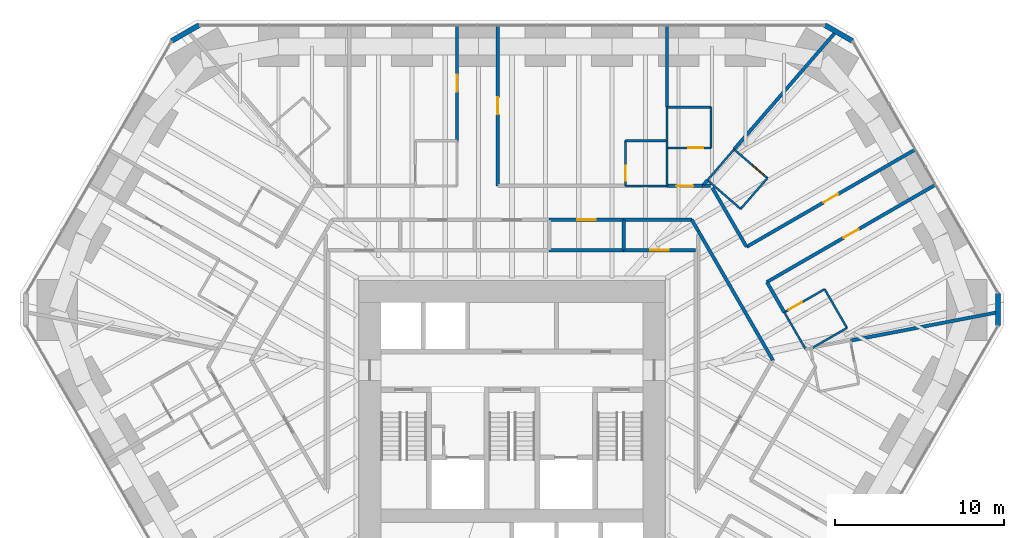
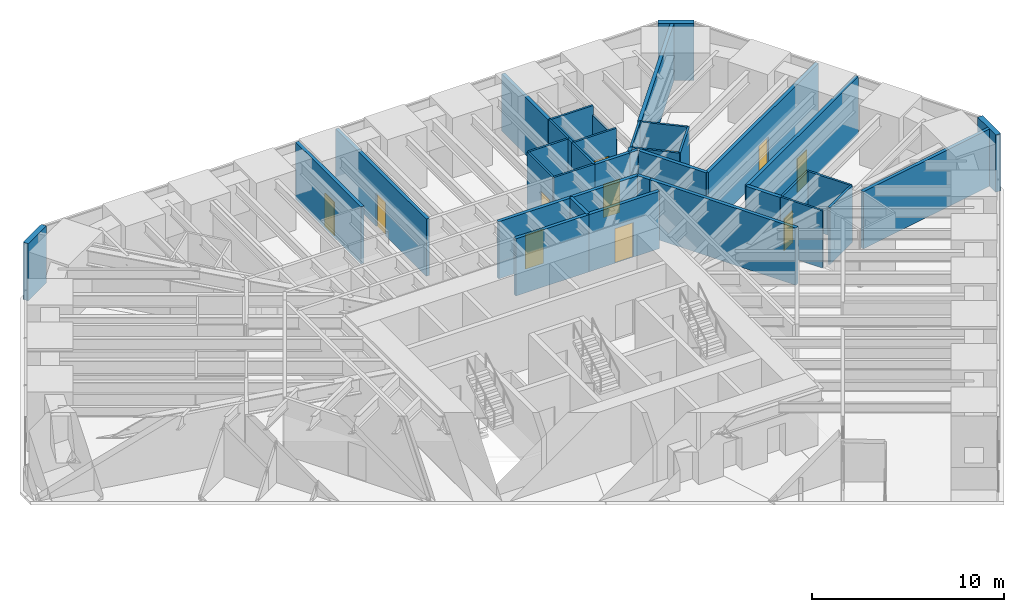
# One storey, part 15 of 17: 39 walls, 11 doors, 11 openings.
"""IFC4 building model written with IfcOpenShell, lengths in metres."""

from ifc_helpers import new_model, si_unit, direction, frame, frame_2d, origin, place, context, subcontext, project, spatial, rectangle, extrude, material, layer, layer_set, type_object, element, fill, save


model = new_model("IFC4")

# Units and contexts
model_context = context("Model", 3, precision=1e-05, world=origin(), true_north=direction((0.0, 1.0)))
body_context = subcontext(model_context, "Body", "Model", "MODEL_VIEW")
ifc_project = project(units=[si_unit("LENGTHUNIT", "METRE"), si_unit("AREAUNIT", "SQUARE_METRE"), si_unit("VOLUMEUNIT", "CUBIC_METRE"), si_unit("PLANEANGLEUNIT", "RADIAN"), si_unit("MASSUNIT", "GRAM", prefix="KILO")], contexts=[model_context])

# Site, building, storey
site_placement = place(None, origin())
site = spatial("IfcSite", under=ifc_project, at=site_placement, CompositionType="ELEMENT")
building_placement = place(site_placement, origin())
building = spatial("IfcBuilding", under=site, at=building_placement, Name="Sandreach Pilgrim Tower", CompositionType="ELEMENT")
storey_placement = place(building_placement, frame((0.0, 0.0, 100.60009765625)))
storey = spatial("IfcBuildingStorey", under=building, at=storey_placement, Name="L24", CompositionType="ELEMENT", Elevation=100.60009765625)

# Wall, opening, door
ifc_material_1 = material(Name="Moisture-resistant gypsum board on steel studs", Category="steel")
ifc_layer_1 = layer(ifc_material_1, 0.1201171875)
ifc_layer_set_1 = layer_set([ifc_layer_1], Name="Bathroom partition 120")
wall_type_1 = type_object("IfcWallType", Name="Bathroom partition 120", PredefinedType="PARTITIONING", material=ifc_layer_set_1)
wall_1_placement = place(storey_placement, frame((6.7099609375, 15.659912109375, 0.0), z_axis=(0.0, 0.0, 1.0), x_axis=(0.0, -1.0, 0.0)))
wall_1 = element("IfcWall", 1, at=wall_1_placement, inside=storey, type_object=wall_type_1, Name="Bathroom partition L24-103", PredefinedType="PARTITIONING", context=body_context, shape_type="SweptSolid", body=[
    extrude(rectangle(XDim=2.669921875, YDim=0.1201171875, at=frame_2d((1.3349609375, 0.0))), origin(), (0.0, 0.0, 1.0), 3.639892578125),
])
opening_1_placement = place(wall_1_placement, frame((1.469970703125, 0.0, 0.0)))
opening_1 = element("IfcOpeningElement", 2, at=opening_1_placement, cuts=wall_1, Name="Opening D09-03B", PredefinedType="OPENING", context=body_context, shape_type="SweptSolid", body=[
    extrude(rectangle(XDim=0.89990234375, YDim=2.030029296875, at=frame_2d((0.449951171875, 1.01513671875))), frame((0.0, 0.06005859375, 0.0), z_axis=(0.0, -1.0, 0.0), x_axis=(1.0, 0.0, 0.0)), (0.0, 0.0, 1.0), 0.1201171875),
])
ifc_material_2 = material(Name="Timber door, steel frame", Category="steel")
door_type_1 = type_object("IfcDoorType", Name="Bathroom door", OperationType="SINGLE_SWING_LEFT", PredefinedType="DOOR", material=ifc_material_2)
door_1_placement = place(opening_1_placement, origin())
door_1 = element("IfcDoor", 3, at=door_1_placement, inside=storey, type_object=door_type_1, Name="Door 2403B", OperationType="SINGLE_SWING_RIGHT", OverallHeight=2.030029296875, OverallWidth=0.89990234375, PredefinedType="DOOR", context=body_context, shape_type="SweptSolid", body=[
    extrude(rectangle(XDim=0.89990234375, YDim=2.030029296875, at=frame_2d((0.449951171875, 1.01513671875))), frame((0.0, 0.02490234375, 0.0), z_axis=(0.0, -1.0, 0.0), x_axis=(1.0, 0.0, 0.0)), (0.0, 0.0, 1.0), 0.050048828125),
])
fill(opening_1, door_1)

# Walls
wall_2_placement = place(storey_placement, frame((9.159912109375, 12.989990234375, 0.0), z_axis=(0.0, 0.0, 1.0), x_axis=(-1.0, 0.0, 0.0)))
element("IfcWall", 4, at=wall_2_placement, inside=storey, type_object=wall_type_1, Name="Bathroom partition L24-115", PredefinedType="PARTITIONING", context=body_context, shape_type="SweptSolid", body=[
    extrude(rectangle(XDim=2.449951171875, YDim=0.1201171875, at=frame_2d((1.22509765625, 0.0))), origin(), (0.0, 0.0, 1.0), 3.639892578125),
])
wall_3_placement = place(storey_placement, frame((9.159912109375, 15.239990234375, 0.0), z_axis=(0.0, 0.0, 1.0), x_axis=(0.0, -1.0, 0.0)))
element("IfcWall", 5, at=wall_3_placement, inside=storey, type_object=wall_type_1, Name="Bathroom partition L24-116", PredefinedType="PARTITIONING", context=body_context, shape_type="SweptSolid", body=[
    extrude(rectangle(XDim=2.25, YDim=0.1201171875, at=frame_2d((1.125, 0.0))), origin(), (0.0, 0.0, 1.0), 3.639892578125),
])

# Wall, opening, door
wall_4_placement = place(storey_placement, frame((9.159912109375, 15.239990234375, 0.0), z_axis=(0.0, 0.0, 1.0), x_axis=(1.0, 0.0, 0.0)))
wall_4 = element("IfcWall", 6, at=wall_4_placement, inside=storey, type_object=wall_type_1, Name="Bathroom partition L24-117", PredefinedType="PARTITIONING", context=body_context, shape_type="SweptSolid", body=[
    extrude(rectangle(XDim=2.60009765625, YDim=0.1201171875, at=frame_2d((1.300048828125, 0.0))), origin(), (0.0, 0.0, 1.0), 3.639892578125),
])
opening_2_placement = place(wall_4_placement, frame((1.25, 0.0, 0.0)))
opening_2 = element("IfcOpeningElement", 7, at=opening_2_placement, cuts=wall_4, Name="Opening D09-04B", PredefinedType="OPENING", context=body_context, shape_type="SweptSolid", body=[
    extrude(rectangle(XDim=0.89990234375, YDim=2.030029296875, at=frame_2d((0.449951171875, 1.01513671875))), frame((0.0, 0.06005859375, 0.0), z_axis=(0.0, -1.0, 0.0), x_axis=(1.0, 0.0, 0.0)), (0.0, 0.0, 1.0), 0.1201171875),
])
door_2_placement = place(opening_2_placement, origin())
door_2 = element("IfcDoor", 8, at=door_2_placement, inside=storey, type_object=door_type_1, Name="Door 2404B", OperationType="SINGLE_SWING_RIGHT", OverallHeight=2.030029296875, OverallWidth=0.89990234375, PredefinedType="DOOR", context=body_context, shape_type="SweptSolid", body=[
    extrude(rectangle(XDim=0.89990234375, YDim=2.030029296875, at=frame_2d((0.449951171875, 1.01513671875))), frame((0.0, 0.02490234375, 0.0), z_axis=(0.0, -1.0, 0.0), x_axis=(1.0, 0.0, 0.0)), (0.0, 0.0, 1.0), 0.050048828125),
])
fill(opening_2, door_2)

# Walls
wall_5_placement = place(storey_placement, frame((9.159912109375, 15.659912109375, 0.0), z_axis=(0.0, 0.0, 1.0), x_axis=(-1.0, 0.0, 0.0)))
element("IfcWall", 9, at=wall_5_placement, inside=storey, type_object=wall_type_1, Name="Bathroom partition L24-118", PredefinedType="PARTITIONING", context=body_context, shape_type="SweptSolid", body=[
    extrude(rectangle(XDim=2.449951171875, YDim=0.1201171875, at=frame_2d((1.22509765625, 0.0))), origin(), (0.0, 0.0, 1.0), 3.639892578125),
])
wall_6_placement = place(storey_placement, frame((9.159912109375, 15.659912109375, 0.0), z_axis=(0.0, 0.0, 1.0), x_axis=(0.0, -1.0, 0.0)))
element("IfcWall", 10, at=wall_6_placement, inside=storey, type_object=wall_type_1, Name="Bathroom partition L24-119", PredefinedType="PARTITIONING", context=body_context, shape_type="SweptSolid", body=[
    extrude(rectangle(XDim=0.419921875, YDim=0.1201171875, at=frame_2d((0.2099609375, 0.0))), origin(), (0.0, 0.0, 1.0), 3.639892578125),
])
wall_7_placement = place(storey_placement, frame((9.159912109375, 17.639892578125, 0.0), z_axis=(0.0, 0.0, 1.0), x_axis=(0.0, -1.0, 0.0)))
element("IfcWall", 11, at=wall_7_placement, inside=storey, type_object=wall_type_1, Name="Bathroom partition L24-120", PredefinedType="PARTITIONING", context=body_context, shape_type="SweptSolid", body=[
    extrude(rectangle(XDim=1.97998046875, YDim=0.1201171875, at=frame_2d((0.989990234375, 0.0))), origin(), (0.0, 0.0, 1.0), 3.639892578125),
])
wall_8_placement = place(storey_placement, frame((11.550048828125, 13.330078125, 0.0), z_axis=(0.0, 0.0, 1.0), x_axis=(0.653238965593, 0.75715180369, 0.0)))
element("IfcWall", 12, at=wall_8_placement, inside=storey, type_object=wall_type_1, Name="Bathroom partition L24-134", PredefinedType="PARTITIONING", context=body_context, shape_type="SweptSolid", body=[
    extrude(rectangle(XDim=2.403564453125, YDim=0.1201171875, at=frame_2d((1.20166015625, 0.0))), origin(), (0.0, 0.0, 1.0), 3.639892578125),
])
wall_9_placement = place(storey_placement, frame((11.550048828125, 13.330078125, 0.0), z_axis=(0.0, 0.0, 1.0), x_axis=(0.755437535555, -0.655220672655, 0.0)))
element("IfcWall", 13, at=wall_9_placement, inside=storey, type_object=wall_type_1, Name="Bathroom partition L24-135", PredefinedType="PARTITIONING", context=body_context, shape_type="SweptSolid", body=[
    extrude(rectangle(XDim=2.594482421875, YDim=0.1201171875, at=frame_2d((1.29736328125, 0.0))), origin(), (0.0, 0.0, 1.0), 3.639892578125),
])
wall_10_placement = place(storey_placement, frame((11.760009765625, 15.239990234375, 0.0), z_axis=(0.0, 0.0, 1.0), x_axis=(0.0, 1.0, 0.0)))
element("IfcWall", 14, at=wall_10_placement, inside=storey, type_object=wall_type_1, Name="Bathroom partition L24-137", PredefinedType="PARTITIONING", context=body_context, shape_type="SweptSolid", body=[
    extrude(rectangle(XDim=2.39990234375, YDim=0.1201171875, at=frame_2d((1.199951171875, 0.0))), origin(), (0.0, 0.0, 1.0), 3.037841796875),
])
wall_11_placement = place(storey_placement, frame((11.760009765625, 17.639892578125, 0.0), z_axis=(0.0, 0.0, 1.0), x_axis=(-1.0, 0.0, 0.0)))
element("IfcWall", 15, at=wall_11_placement, inside=storey, type_object=wall_type_1, Name="Bathroom partition L24-138", PredefinedType="PARTITIONING", context=body_context, shape_type="SweptSolid", body=[
    extrude(rectangle(XDim=2.60009765625, YDim=0.1201171875, at=frame_2d((1.300048828125, 0.0))), origin(), (0.0, 0.0, 1.0), 3.639892578125),
])
wall_12_placement = place(storey_placement, frame((13.510009765625, 11.6298828125, 0.0), z_axis=(0.0, 0.0, 1.0), x_axis=(0.655566599468, 0.75513736079, 0.0)))
element("IfcWall", 16, at=wall_12_placement, inside=storey, type_object=wall_type_1, Name="Bathroom partition L24-141", PredefinedType="PARTITIONING", context=body_context, shape_type="SweptSolid", body=[
    extrude(rectangle(XDim=2.41015625, YDim=0.1201171875, at=frame_2d((1.205078125, 0.0))), origin(), (0.0, 0.0, 1.0), 3.639892578125),
])

# Wall, opening, door
wall_13_placement = place(storey_placement, frame((15.090087890625, 13.449951171875, 0.0), z_axis=(0.0, 0.0, 1.0), x_axis=(-0.757086659925, 0.653314464377, 0.0)))
wall_13 = element("IfcWall", 17, at=wall_13_placement, inside=storey, type_object=wall_type_1, Name="Bathroom partition L24-146", PredefinedType="PARTITIONING", context=body_context, shape_type="SweptSolid", body=[
    extrude(rectangle(XDim=2.60205078125, YDim=0.1201171875, at=frame_2d((1.301025390625, 0.0))), origin(), (0.0, 0.0, 1.0), 3.639892578125),
])
opening_3_placement = place(wall_13_placement, frame((0.300048828125, 0.0, 0.0)))
opening_3 = element("IfcOpeningElement", 18, at=opening_3_placement, cuts=wall_13, Name="Opening D09-05B", PredefinedType="OPENING", context=body_context, shape_type="SweptSolid", body=[
    extrude(rectangle(XDim=0.89990234375, YDim=2.030029296875, at=frame_2d((0.449951171875, 1.01513671875))), frame((0.0, 0.06005859375, 0.0), z_axis=(0.0, -1.0, 0.0), x_axis=(1.0, 0.0, 0.0)), (0.0, 0.0, 1.0), 0.1201171875),
])
door_3_placement = place(opening_3_placement, origin())
door_3 = element("IfcDoor", 19, at=door_3_placement, inside=storey, type_object=door_type_1, Name="Door 2405B", OperationType="SINGLE_SWING_LEFT", OverallHeight=2.030029296875, OverallWidth=0.89990234375, PredefinedType="DOOR", context=body_context, shape_type="SweptSolid", body=[
    extrude(rectangle(XDim=0.89990234375, YDim=2.030029296875, at=frame_2d((0.449951171875, 1.01513671875))), frame((0.0, 0.02490234375, 0.0), z_axis=(0.0, -1.0, 0.0), x_axis=(1.0, 0.0, 0.0)), (0.0, 0.0, 1.0), 0.050048828125),
])
fill(opening_3, door_3)

# Walls
wall_14_placement = place(storey_placement, frame((16.090087890625, 5.52001953125, 0.0), z_axis=(0.0, 0.0, 1.0), x_axis=(0.500424596343, -0.865780124151, 0.0)))
element("IfcWall", 20, at=wall_14_placement, inside=storey, type_object=wall_type_1, Name="Bathroom partition L24-148", PredefinedType="PARTITIONING", context=body_context, shape_type="SweptSolid", body=[
    extrude(rectangle(XDim=2.517822265625, YDim=0.1201171875, at=frame_2d((1.2587890625, 0.0))), origin(), (0.0, 0.0, 1.0), 3.639892578125),
])
wall_15_placement = place(storey_placement, frame((17.760009765625, 3.429931640625, 0.0), z_axis=(0.0, 0.0, 1.0), x_axis=(0.866371132283, 0.499400701988, 0.0)))
element("IfcWall", 21, at=wall_15_placement, inside=storey, type_object=wall_type_1, Name="Bathroom partition L24-152", PredefinedType="PARTITIONING", context=body_context, shape_type="SweptSolid", body=[
    extrude(rectangle(XDim=2.34326171875, YDim=0.1201171875, at=frame_2d((1.171630859375, 0.0))), origin(), (0.0, 0.0, 1.0), 3.639892578125),
])

# Wall, opening, door
wall_16_placement = place(storey_placement, frame((18.469970703125, 6.889892578125, 0.0), z_axis=(0.0, 0.0, 1.0), x_axis=(-0.866679536557, -0.498865293355, 0.0)))
wall_16 = element("IfcWall", 22, at=wall_16_placement, inside=storey, type_object=wall_type_1, Name="Bathroom partition L24-158", PredefinedType="PARTITIONING", context=body_context, shape_type="SweptSolid", body=[
    extrude(rectangle(XDim=2.74609375, YDim=0.1201171875, at=frame_2d((1.373046875, 0.0))), origin(), (0.0, 0.0, 1.0), 3.639892578125),
])
opening_4_placement = place(wall_16_placement, frame((1.546142578125, 0.0, 0.0)))
opening_4 = element("IfcOpeningElement", 23, at=opening_4_placement, cuts=wall_16, Name="Opening D09-06B", PredefinedType="OPENING", context=body_context, shape_type="SweptSolid", body=[
    extrude(rectangle(XDim=0.89990234375, YDim=2.030029296875, at=frame_2d((0.449951171875, 1.01513671875))), frame((0.0, 0.06005859375, 0.0), z_axis=(0.0, -1.0, 0.0), x_axis=(1.0, 0.0, 0.0)), (0.0, 0.0, 1.0), 0.1201171875),
])
door_4_placement = place(opening_4_placement, origin())
door_4 = element("IfcDoor", 24, at=door_4_placement, inside=storey, type_object=door_type_1, Name="Door 2406B", OperationType="SINGLE_SWING_RIGHT", OverallHeight=2.030029296875, OverallWidth=0.89990234375, PredefinedType="DOOR", context=body_context, shape_type="SweptSolid", body=[
    extrude(rectangle(XDim=0.89990234375, YDim=2.030029296875, at=frame_2d((0.449951171875, 1.01513671875))), frame((0.0, 0.02490234375, 0.0), z_axis=(0.0, -1.0, 0.0), x_axis=(1.0, 0.0, 0.0)), (0.0, 0.0, 1.0), 0.050048828125),
])
fill(opening_4, door_4)

# Wall
wall_17_placement = place(storey_placement, frame((19.7900390625, 4.60009765625, 0.0), z_axis=(0.0, 0.0, 1.0), x_axis=(-0.499447879564, 0.866343936089, 0.0)))
element("IfcWall", 25, at=wall_17_placement, inside=storey, type_object=wall_type_1, Name="Bathroom partition L24-159", PredefinedType="PARTITIONING", context=body_context, shape_type="SweptSolid", body=[
    extrude(rectangle(XDim=2.64306640625, YDim=0.1201171875, at=frame_2d((1.321533203125, 0.0))), origin(), (0.0, 0.0, 1.0), 3.639892578125),
])

# Wall, opening, door
ifc_material_3 = material(Name="Gypsum board on steel studs, two layers each side", Category="steel")
ifc_layer_2 = layer(ifc_material_3, 0.199951171875)
ifc_layer_set_2 = layer_set([ifc_layer_2], Name="Corridor wall 200")
wall_type_2 = type_object("IfcWallType", Name="Corridor wall 200", PredefinedType="PARTITIONING", material=ifc_layer_set_2)
wall_18_placement = place(storey_placement, frame((-3.25, 22.4599609375, 0.0), z_axis=(0.0, 0.0, 1.0), x_axis=(0.0, -1.0, 0.0)))
wall_18 = element("IfcWall", 26, at=wall_18_placement, inside=storey, type_object=wall_type_2, Name="Corridor wall L24-073", PredefinedType="PARTITIONING", context=body_context, shape_type="SweptSolid", body=[
    extrude(rectangle(XDim=6.800048828125, YDim=0.199951171875, at=frame_2d((3.39990234375, 0.0))), origin(), (0.0, 0.0, 1.0), 3.639892578125),
])
opening_5_placement = place(wall_18_placement, frame((2.89990234375, 0.0, 0.0)))
opening_5 = element("IfcOpeningElement", 27, at=opening_5_placement, cuts=wall_18, Name="Opening D10-02", PredefinedType="OPENING", context=body_context, shape_type="SweptSolid", body=[
    extrude(rectangle(XDim=1.0, YDim=2.1298828125, at=frame_2d((0.5, 1.06494140625))), frame((0.0, 0.10009765625, 0.0), z_axis=(0.0, -1.0, 0.0), x_axis=(1.0, 0.0, 0.0)), (0.0, 0.0, 1.0), 0.199951171875),
])
ifc_material_4 = material(Name="Steel door and frame", Category="steel")
door_type_2 = type_object("IfcDoorType", Name="Guest room entry door", OperationType="SINGLE_SWING_LEFT", PredefinedType="DOOR", material=ifc_material_4)
door_5_placement = place(opening_5_placement, origin())
door_5 = element("IfcDoor", 28, at=door_5_placement, inside=storey, type_object=door_type_2, Name="Door 2402", OperationType="SINGLE_SWING_LEFT", OverallHeight=2.1298828125, OverallWidth=1.0, PredefinedType="DOOR", context=body_context, shape_type="SweptSolid", body=[
    extrude(rectangle(XDim=1.0, YDim=2.1298828125, at=frame_2d((0.5, 1.06494140625))), frame((0.0, 0.02490234375, 0.0), z_axis=(0.0, -1.0, 0.0), x_axis=(1.0, 0.0, 0.0)), (0.0, 0.0, 1.0), 0.050048828125),
])
fill(opening_5, door_5)

wall_19_placement = place(storey_placement, frame((-0.85009765625, 12.989990234375, 0.0), z_axis=(0.0, 0.0, 1.0), x_axis=(0.0, 1.0, 0.0)))
wall_19 = element("IfcWall", 29, at=wall_19_placement, inside=storey, type_object=wall_type_2, Name="Corridor wall L24-084", PredefinedType="PARTITIONING", context=body_context, shape_type="SweptSolid", body=[
    extrude(rectangle(XDim=9.469970703125, YDim=0.199951171875, at=frame_2d((4.73486328125, 0.0))), origin(), (0.0, 0.0, 1.0), 3.639892578125),
])
opening_6_placement = place(wall_19_placement, frame((4.235107421875, 0.0, 0.0)))
opening_6 = element("IfcOpeningElement", 30, at=opening_6_placement, cuts=wall_19, Name="Opening D10-03", PredefinedType="OPENING", context=body_context, shape_type="SweptSolid", body=[
    extrude(rectangle(XDim=1.0, YDim=2.1298828125, at=frame_2d((0.5, 1.06494140625))), frame((0.0, 0.10009765625, 0.0), z_axis=(0.0, -1.0, 0.0), x_axis=(1.0, 0.0, 0.0)), (0.0, 0.0, 1.0), 0.199951171875),
])
door_6_placement = place(opening_6_placement, origin())
door_6 = element("IfcDoor", 31, at=door_6_placement, inside=storey, type_object=door_type_2, Name="Door 2403", OperationType="SINGLE_SWING_LEFT", OverallHeight=2.1298828125, OverallWidth=1.0, PredefinedType="DOOR", context=body_context, shape_type="SweptSolid", body=[
    extrude(rectangle(XDim=1.0, YDim=2.1298828125, at=frame_2d((0.5, 1.06494140625))), frame((0.0, 0.02490234375, 0.0), z_axis=(0.0, -1.0, 0.0), x_axis=(1.0, 0.0, 0.0)), (0.0, 0.0, 1.0), 0.050048828125),
])
fill(opening_6, door_6)

wall_20_placement = place(storey_placement, frame((2.199951171875, 10.989990234375, 0.0), z_axis=(0.0, 0.0, 1.0), x_axis=(1.0, 0.0, 0.0)))
wall_20 = element("IfcWall", 32, at=wall_20_placement, inside=storey, type_object=wall_type_2, Name="Corridor wall L24-091", PredefinedType="PARTITIONING", context=body_context, shape_type="SweptSolid", body=[
    extrude(rectangle(XDim=4.400146484375, YDim=0.199951171875, at=frame_2d((2.2001953125, 0.0))), origin(), (0.0, 0.0, 1.0), 3.639892578125),
])
opening_7_placement = place(wall_20_placement, frame((1.64990234375, 0.0, 0.0)))
opening_7 = element("IfcOpeningElement", 33, at=opening_7_placement, cuts=wall_20, Name="Opening D11H-M05", PredefinedType="OPENING", context=body_context, shape_type="SweptSolid", body=[
    extrude(rectangle(XDim=1.10009765625, YDim=2.199951171875, at=frame_2d((0.550048828125, 1.10009765625))), frame((0.0, 0.10009765625, 0.0), z_axis=(0.0, -1.0, 0.0), x_axis=(1.0, 0.0, 0.0)), (0.0, 0.0, 1.0), 0.199951171875),
])
ifc_material_5 = material(Name="Steel door and frame", Category="steel")
door_type_3 = type_object("IfcDoorType", Name="Back of house door", OperationType="SINGLE_SWING_LEFT", PredefinedType="DOOR", material=ifc_material_5)
door_7_placement = place(opening_7_placement, origin())
door_7 = element("IfcDoor", 34, at=door_7_placement, inside=storey, type_object=door_type_3, Name="Door 24M05", OperationType="SINGLE_SWING_LEFT", OverallHeight=2.199951171875, OverallWidth=1.10009765625, PredefinedType="DOOR", context=body_context, shape_type="SweptSolid", body=[
    extrude(rectangle(XDim=1.10009765625, YDim=2.199951171875, at=frame_2d((0.550048828125, 1.10009765625))), frame((0.0, 0.02490234375, 0.0), z_axis=(0.0, -1.0, 0.0), x_axis=(1.0, 0.0, 0.0)), (0.0, 0.0, 1.0), 0.050048828125),
])
fill(opening_7, door_7)

# Walls
wall_21_placement = place(storey_placement, frame((6.60009765625, 9.199951171875, 0.0), z_axis=(0.0, 0.0, 1.0), x_axis=(-1.0, 0.0, 0.0)))
element("IfcWall", 35, at=wall_21_placement, inside=storey, type_object=wall_type_2, Name="Corridor wall L24-099", PredefinedType="PARTITIONING", context=body_context, shape_type="SweptSolid", body=[
    extrude(rectangle(XDim=4.400146484375, YDim=0.199951171875, at=frame_2d((2.2001953125, 0.0))), origin(), (0.0, 0.0, 1.0), 3.639892578125),
])
wall_22_placement = place(storey_placement, frame((6.60009765625, 10.989990234375, 0.0), z_axis=(0.0, 0.0, 1.0), x_axis=(1.0, 0.0, 0.0)))
element("IfcWall", 36, at=wall_22_placement, inside=storey, type_object=wall_type_2, Name="Corridor wall L24-101", PredefinedType="PARTITIONING", context=body_context, shape_type="SweptSolid", body=[
    extrude(rectangle(XDim=4.02001953125, YDim=0.199951171875, at=frame_2d((2.010009765625, 0.0))), origin(), (0.0, 0.0, 1.0), 3.639892578125),
])
wall_23_placement = place(storey_placement, frame((10.6201171875, 10.989990234375, 0.0), z_axis=(0.0, 0.0, 1.0), x_axis=(0.503009091795, -0.864281119527, 0.0)))
element("IfcWall", 37, at=wall_23_placement, inside=storey, type_object=wall_type_2, Name="Corridor wall L24-126", PredefinedType="PARTITIONING", context=body_context, shape_type="SweptSolid", body=[
    extrude(rectangle(XDim=0.775146484375, YDim=0.199951171875, at=frame_2d((0.3876953125, 0.0))), origin(), (0.0, 0.0, 1.0), 3.639892578125),
])

# Wall, opening, door
wall_24_placement = place(storey_placement, frame((10.840087890625, 9.199951171875, 0.0), z_axis=(0.0, 0.0, 1.0), x_axis=(-1.0, 0.0, 0.0)))
wall_24 = element("IfcWall", 38, at=wall_24_placement, inside=storey, type_object=wall_type_2, Name="Corridor wall L24-127", PredefinedType="PARTITIONING", context=body_context, shape_type="SweptSolid", body=[
    extrude(rectangle(XDim=4.239990234375, YDim=0.199951171875, at=frame_2d((2.1201171875, 0.0))), origin(), (0.0, 0.0, 1.0), 3.639892578125),
])
opening_8_placement = place(wall_24_placement, frame((1.570068359375, 0.0, 0.0)))
opening_8 = element("IfcOpeningElement", 39, at=opening_8_placement, cuts=wall_24, Name="Opening D11H-M06", PredefinedType="OPENING", context=body_context, shape_type="SweptSolid", body=[
    extrude(rectangle(XDim=1.10009765625, YDim=2.199951171875, at=frame_2d((0.550048828125, 1.10009765625))), frame((0.0, 0.10009765625, 0.0), z_axis=(0.0, -1.0, 0.0), x_axis=(1.0, 0.0, 0.0)), (0.0, 0.0, 1.0), 0.199951171875),
])
door_8_placement = place(opening_8_placement, origin())
door_8 = element("IfcDoor", 40, at=door_8_placement, inside=storey, type_object=door_type_3, Name="Door 24M06", OperationType="SINGLE_SWING_LEFT", OverallHeight=2.199951171875, OverallWidth=1.10009765625, PredefinedType="DOOR", context=body_context, shape_type="SweptSolid", body=[
    extrude(rectangle(XDim=1.10009765625, YDim=2.199951171875, at=frame_2d((0.550048828125, 1.10009765625))), frame((0.0, 0.02490234375, 0.0), z_axis=(0.0, -1.0, 0.0), x_axis=(1.0, 0.0, 0.0)), (0.0, 0.0, 1.0), 0.050048828125),
])
fill(opening_8, door_8)

# Wall
wall_25_placement = place(storey_placement, frame((11.010009765625, 10.320068359375, 0.0), z_axis=(0.0, 0.0, 1.0), x_axis=(0.500036278648, -0.866004457284, 0.0)))
element("IfcWall", 41, at=wall_25_placement, inside=storey, type_object=wall_type_2, Name="Corridor wall L24-130", PredefinedType="PARTITIONING", context=body_context, shape_type="SweptSolid", body=[
    extrude(rectangle(XDim=8.799072265625, YDim=0.199951171875, at=frame_2d((4.3994140625, 0.0))), origin(), (0.0, 0.0, 1.0), 3.639892578125),
])

# Wall, opening, door
wall_26_placement = place(storey_placement, frame((11.25, 12.989990234375, 0.0), z_axis=(0.0, 0.0, 1.0), x_axis=(-1.0, 0.0, 0.0)))
wall_26 = element("IfcWall", 42, at=wall_26_placement, inside=storey, type_object=wall_type_2, Name="Corridor wall L24-131", PredefinedType="PARTITIONING", context=body_context, shape_type="SweptSolid", body=[
    extrude(rectangle(XDim=2.090087890625, YDim=0.199951171875, at=frame_2d((1.044921875, 0.0))), origin(), (0.0, 0.0, 1.0), 3.639892578125),
])
opening_9_placement = place(wall_26_placement, frame((0.544921875, 0.0, 0.0)))
opening_9 = element("IfcOpeningElement", 43, at=opening_9_placement, cuts=wall_26, Name="Opening D10-04", PredefinedType="OPENING", context=body_context, shape_type="SweptSolid", body=[
    extrude(rectangle(XDim=1.0, YDim=2.1298828125, at=frame_2d((0.5, 1.06494140625))), frame((0.0, 0.10009765625, 0.0), z_axis=(0.0, -1.0, 0.0), x_axis=(1.0, 0.0, 0.0)), (0.0, 0.0, 1.0), 0.199951171875),
])
door_9_placement = place(opening_9_placement, origin())
door_9 = element("IfcDoor", 44, at=door_9_placement, inside=storey, type_object=door_type_2, Name="Door 2404", OperationType="SINGLE_SWING_LEFT", OverallHeight=2.1298828125, OverallWidth=1.0, PredefinedType="DOOR", context=body_context, shape_type="SweptSolid", body=[
    extrude(rectangle(XDim=1.0, YDim=2.1298828125, at=frame_2d((0.5, 1.06494140625))), frame((0.0, 0.02490234375, 0.0), z_axis=(0.0, -1.0, 0.0), x_axis=(1.0, 0.0, 0.0)), (0.0, 0.0, 1.0), 0.050048828125),
])
fill(opening_9, door_9)

# Walls
wall_27_placement = place(storey_placement, frame((11.735107421875, 12.989990234375, 0.0), z_axis=(0.0, 0.0, 1.0), x_axis=(-1.0, 0.0, 0.0)))
element("IfcWall", 45, at=wall_27_placement, inside=storey, type_object=wall_type_2, Name="Corridor wall L24-136", PredefinedType="PARTITIONING", context=body_context, shape_type="SweptSolid", body=[
    extrude(rectangle(XDim=0.485107421875, YDim=0.199951171875, at=frame_2d((0.24267578125, 0.0))), origin(), (0.0, 0.0, 1.0), 3.639892578125),
])
wall_28_placement = place(storey_placement, frame((13.85498046875, 9.398681640625, 0.0), z_axis=(0.0, 0.0, 1.0), x_axis=(-0.502087259191, 0.864816965698, 0.0)))
element("IfcWall", 46, at=wall_28_placement, inside=storey, type_object=wall_type_2, Name="Corridor wall L24-142", PredefinedType="PARTITIONING", context=body_context, shape_type="SweptSolid", body=[
    extrude(rectangle(XDim=4.027587890625, YDim=0.199951171875, at=frame_2d((2.013671875, 0.0))), origin(), (0.0, 0.0, 1.0), 3.639892578125),
])

# Wall, opening, door
wall_29_placement = place(storey_placement, frame((15.06005859375, 7.31005859375, 0.0), z_axis=(0.0, 0.0, 1.0), x_axis=(0.866042039906, 0.499971184285, 0.0)))
wall_29 = element("IfcWall", 47, at=wall_29_placement, inside=storey, type_object=wall_type_2, Name="Corridor wall L24-144", PredefinedType="PARTITIONING", context=body_context, shape_type="SweptSolid", body=[
    extrude(rectangle(XDim=11.470458984375, YDim=0.199951171875, at=frame_2d((5.7353515625, 0.0))), origin(), (0.0, 0.0, 1.0), 3.639892578125),
])
opening_10_placement = place(wall_29_placement, frame((5.2353515625, 0.0, 0.0)))
opening_10 = element("IfcOpeningElement", 48, at=opening_10_placement, cuts=wall_29, Name="Opening D10-06", PredefinedType="OPENING", context=body_context, shape_type="SweptSolid", body=[
    extrude(rectangle(XDim=1.0, YDim=2.1298828125, at=frame_2d((0.5, 1.06494140625))), frame((0.0, 0.10009765625, 0.0), z_axis=(0.0, -1.0, 0.0), x_axis=(1.0, 0.0, 0.0)), (0.0, 0.0, 1.0), 0.199951171875),
])
door_10_placement = place(opening_10_placement, origin())
door_10 = element("IfcDoor", 49, at=door_10_placement, inside=storey, type_object=door_type_2, Name="Door 2406", OperationType="SINGLE_SWING_LEFT", OverallHeight=2.1298828125, OverallWidth=1.0, PredefinedType="DOOR", context=body_context, shape_type="SweptSolid", body=[
    extrude(rectangle(XDim=1.0, YDim=2.1298828125, at=frame_2d((0.5, 1.06494140625))), frame((0.0, 0.02490234375, 0.0), z_axis=(0.0, -1.0, 0.0), x_axis=(1.0, 0.0, 0.0)), (0.0, 0.0, 1.0), 0.050048828125),
])
fill(opening_10, door_10)

# Wall
wall_30_placement = place(storey_placement, frame((15.06494140625, 7.30126953125, 0.0), z_axis=(0.0, 0.0, 1.0), x_axis=(0.498810334238, -0.866711168993, 0.0)))
element("IfcWall", 50, at=wall_30_placement, inside=storey, type_object=wall_type_2, Name="Corridor wall L24-145", PredefinedType="PARTITIONING", context=body_context, shape_type="SweptSolid", body=[
    extrude(rectangle(XDim=2.05517578125, YDim=0.199951171875, at=frame_2d((1.027587890625, 0.0))), origin(), (0.0, 0.0, 1.0), 3.639892578125),
])

# Wall, opening, door
wall_31_placement = place(storey_placement, frame((23.7939453125, 15.125, 0.0), z_axis=(0.0, 0.0, 1.0), x_axis=(-0.866032823784, -0.499987147964, 0.0)))
wall_31 = element("IfcWall", 51, at=wall_31_placement, inside=storey, type_object=wall_type_2, Name="Corridor wall L24-163", PredefinedType="PARTITIONING", context=body_context, shape_type="SweptSolid", body=[
    extrude(rectangle(XDim=11.470458984375, YDim=0.199951171875, at=frame_2d((5.7353515625, 0.0))), origin(), (0.0, 0.0, 1.0), 3.639892578125),
])
opening_11_placement = place(wall_31_placement, frame((5.2353515625, 0.0, 0.0)))
opening_11 = element("IfcOpeningElement", 52, at=opening_11_placement, cuts=wall_31, Name="Opening D10-05", PredefinedType="OPENING", context=body_context, shape_type="SweptSolid", body=[
    extrude(rectangle(XDim=1.0, YDim=2.1298828125, at=frame_2d((0.5, 1.06494140625))), frame((0.0, 0.10009765625, 0.0), z_axis=(0.0, -1.0, 0.0), x_axis=(1.0, 0.0, 0.0)), (0.0, 0.0, 1.0), 0.199951171875),
])
door_11_placement = place(opening_11_placement, origin())
door_11 = element("IfcDoor", 53, at=door_11_placement, inside=storey, type_object=door_type_2, Name="Door 2405", OperationType="SINGLE_SWING_LEFT", OverallHeight=2.1298828125, OverallWidth=1.0, PredefinedType="DOOR", context=body_context, shape_type="SweptSolid", body=[
    extrude(rectangle(XDim=1.0, YDim=2.1298828125, at=frame_2d((0.5, 1.06494140625))), frame((0.0, 0.02490234375, 0.0), z_axis=(0.0, -1.0, 0.0), x_axis=(1.0, 0.0, 0.0)), (0.0, 0.0, 1.0), 0.050048828125),
])
fill(opening_11, door_11)

# Walls
ifc_material_6 = material(Name="Double steel stud acoustic wall, gypsum board", Category="steel")
ifc_layer_3 = layer(ifc_material_6, 0.199951171875)
ifc_layer_set_3 = layer_set([ifc_layer_3], Name="Party wall 200")
wall_type_3 = type_object("IfcWallType", Name="Party wall 200", PredefinedType="PARTITIONING", material=ifc_layer_set_3)
wall_32_placement = place(storey_placement, frame((6.60009765625, 10.97998046875, 0.0), z_axis=(0.0, 0.0, 1.0), x_axis=(0.0, -1.0, 0.0)))
element("IfcWall", 54, at=wall_32_placement, inside=storey, type_object=wall_type_3, Name="Party wall L24-100", PredefinedType="PARTITIONING", context=body_context, shape_type="SweptSolid", body=[
    extrude(rectangle(XDim=1.77001953125, YDim=0.199951171875, at=frame_2d((0.885009765625, 0.0))), origin(), (0.0, 0.0, 1.0), 3.639892578125),
])
wall_33_placement = place(storey_placement, frame((9.159912109375, 22.4599609375, 0.0), z_axis=(0.0, 0.0, 1.0), x_axis=(0.0, -1.0, 0.0)))
element("IfcWall", 55, at=wall_33_placement, inside=storey, type_object=wall_type_3, Name="Party wall L24-121", PredefinedType="PARTITIONING", context=body_context, shape_type="SweptSolid", body=[
    extrude(rectangle(XDim=4.820068359375, YDim=0.199951171875, at=frame_2d((2.41015625, 0.0))), origin(), (0.0, 0.0, 1.0), 3.639892578125),
])
wall_34_placement = place(storey_placement, frame((11.319580078125, 13.06884765625, 0.0), z_axis=(0.0, 0.0, 1.0), x_axis=(0.661575277995, 0.749878757897, 0.0)))
element("IfcWall", 56, at=wall_34_placement, inside=storey, type_object=wall_type_3, Name="Party wall L24-132", PredefinedType="PARTITIONING", context=body_context, shape_type="SweptSolid", body=[
    extrude(rectangle(XDim=0.348388671875, YDim=0.199951171875, at=frame_2d((0.17431640625, 0.0))), origin(), (0.0, 0.0, 1.0), 3.639892578125),
])
wall_35_placement = place(storey_placement, frame((13.1201171875, 15.14990234375, 0.0), z_axis=(0.0, 0.0, 1.0), x_axis=(0.654515490482, 0.756048591507, 0.0)))
element("IfcWall", 57, at=wall_35_placement, inside=storey, type_object=wall_type_3, Name="Party wall L24-140", PredefinedType="PARTITIONING", context=body_context, shape_type="SweptSolid", body=[
    extrude(rectangle(XDim=9.228515625, YDim=0.199951171875, at=frame_2d((4.6142578125, 0.0))), origin(), (0.0, 0.0, 1.0), 3.639892578125),
])
wall_36_placement = place(storey_placement, frame((20.0, 3.85009765625, 0.0), z_axis=(0.0, 0.0, 1.0), x_axis=(0.981934187141, 0.189222757942, 0.0)))
element("IfcWall", 58, at=wall_36_placement, inside=storey, type_object=wall_type_3, Name="Party wall L24-160", PredefinedType="PARTITIONING", context=body_context, shape_type="SweptSolid", body=[
    extrude(rectangle(XDim=8.9013671875, YDim=0.199951171875, at=frame_2d((4.45068359375, 0.0))), origin(), (0.0, 0.0, 1.0), 3.639892578125),
])
ifc_material_7 = material(Name="Terracotta rainscreen on concrete", Category="masonry")
ifc_layer_4 = layer(ifc_material_7, 0.300048828125)
ifc_layer_set_4 = layer_set([ifc_layer_4], Name="Terracotta chamfer pier")
wall_type_4 = type_object("IfcWallType", Name="Terracotta chamfer pier", PredefinedType="SOLIDWALL", material=ifc_layer_set_4)
wall_37_placement = place(storey_placement, frame((18.4814453125, 22.493896484375, 0.0), z_axis=(0.0, 0.0, 1.0), x_axis=(0.865988793993, -0.500063404658, 0.0)))
element("IfcWall", 59, at=wall_37_placement, inside=storey, type_object=wall_type_4, Name="Chamfer pier L24 N", PredefinedType="SOLIDWALL", context=body_context, shape_type="SweptSolid", body=[
    extrude(rectangle(XDim=1.880126953125, YDim=0.300048828125, at=frame_2d((0.93994140625, 0.0))), origin(), (0.0, 0.0, 1.0), 3.639892578125),
])
wall_38_placement = place(storey_placement, frame((28.720947265625, 6.638427734375, 0.0), z_axis=(0.0, 0.0, 1.0), x_axis=(0.0, -1.0, 0.0)))
element("IfcWall", 60, at=wall_38_placement, inside=storey, type_object=wall_type_4, Name="Chamfer pier L24 NE", PredefinedType="SOLIDWALL", context=body_context, shape_type="SweptSolid", body=[
    extrude(rectangle(XDim=1.8798828125, YDim=0.300048828125, at=frame_2d((0.93994140625, 0.0))), origin(), (0.0, 0.0, 1.0), 3.639892578125),
])
wall_39_placement = place(storey_placement, frame((-20.109619140625, 21.5537109375, 0.0), z_axis=(0.0, 0.0, 1.0), x_axis=(0.865988793993, 0.500063404658, 0.0)))
element("IfcWall", 61, at=wall_39_placement, inside=storey, type_object=wall_type_4, Name="Chamfer pier L24 NW", PredefinedType="SOLIDWALL", context=body_context, shape_type="SweptSolid", body=[
    extrude(rectangle(XDim=1.880126953125, YDim=0.300048828125, at=frame_2d((0.93994140625, 0.0))), origin(), (0.0, 0.0, 1.0), 3.639892578125),
])

save(model, "model.ifc")
